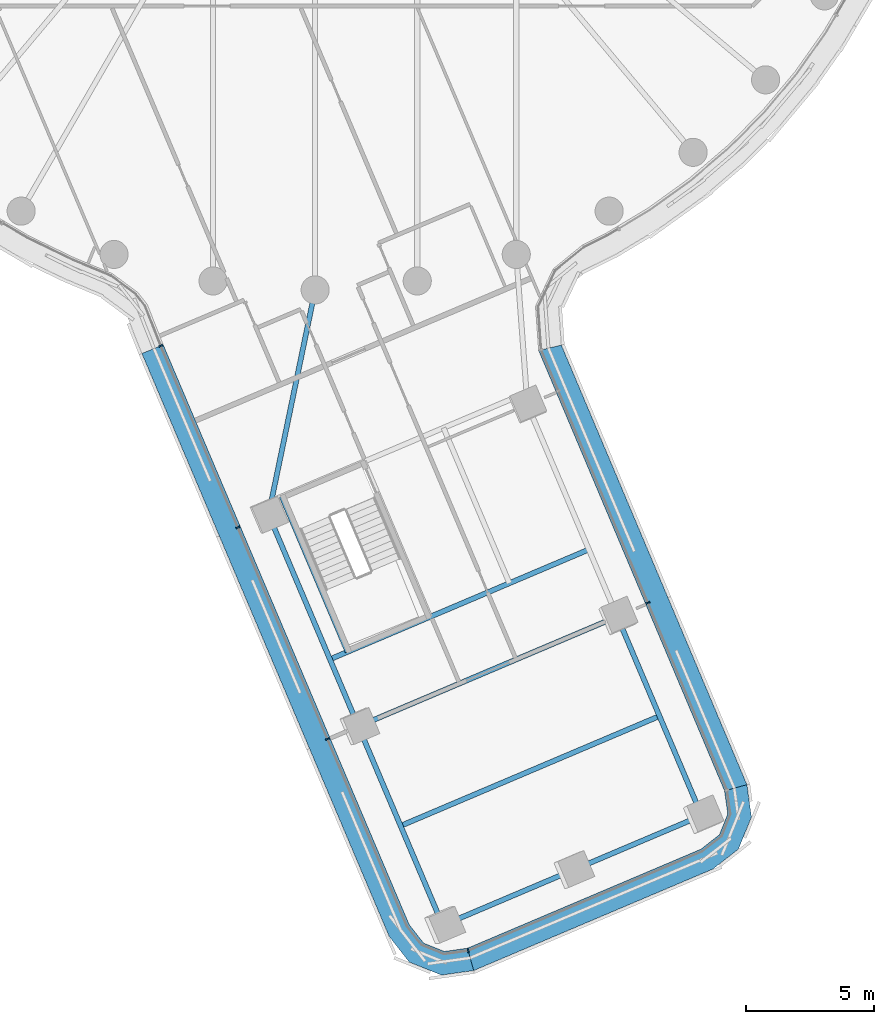
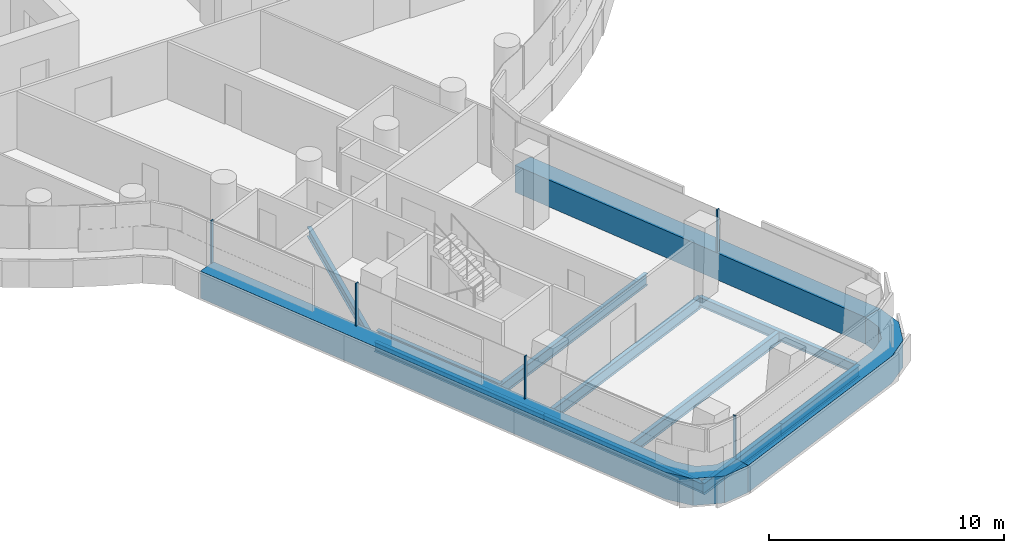
# One storey, part 2 of 35: 10 beams, 8 members, 3 elements without a shape of their own.
"""IFC4 building model written with IfcOpenShell, lengths in metres."""

from ifc_helpers import new_model, si_unit, direction, frame, origin, origin_2d, place, context, subcontext, project, spatial, polyline, rectangle, i_section, outline, extrude, material, layer, layer_set, material_profile, profile_set, type_object, element, aggregate, save


model = new_model("IFC4")

# Units and contexts
model_context = context("Model", 3, precision=1e-05, world=origin(), true_north=direction((0.0, 1.0)))
body_context = subcontext(model_context, "Body", "Model", "MODEL_VIEW")
ifc_project = project(units=[si_unit("LENGTHUNIT", "METRE"), si_unit("AREAUNIT", "SQUARE_METRE"), si_unit("VOLUMEUNIT", "CUBIC_METRE"), si_unit("PLANEANGLEUNIT", "RADIAN"), si_unit("MASSUNIT", "GRAM", prefix="KILO")], contexts=[model_context])

# Site, building, storey
site_placement = place(None, origin())
site = spatial("IfcSite", under=ifc_project, at=site_placement, CompositionType="ELEMENT")
building_placement = place(site_placement, origin())
building = spatial("IfcBuilding", under=site, at=building_placement, Name="Tamarind Cross Interchange Tower", CompositionType="ELEMENT")
storey_placement = place(building_placement, frame((0.0, 0.0, 117.25)))
storey = spatial("IfcBuildingStorey", under=building, at=storey_placement, Name="L28", CompositionType="ELEMENT", Elevation=117.25)

# Beams
ifc_material_1 = material(Name="Steel Q355B", Category="steel")
ifc_material_profile_1 = material_profile(ifc_material_1, i_section(OverallWidth=0.198974609375, OverallDepth=0.49609375, WebThickness=0.009033203125, FlangeThickness=0.013916015625, FilletRadius=0.012939453125, at=origin_2d()), Name="HN 496x199x9x14")
ifc_profile_set_1 = profile_set([ifc_material_profile_1], Name="Steel Q355B")
beam_type_1 = type_object("IfcBeamType", Name="Composite beam HN 496x199x9x14 Q355B", PredefinedType="BEAM", material=ifc_profile_set_1)
beam_1_placement = place(storey_placement, frame((4.99365234375, -47.856689453125, -0.387939453125), z_axis=(-0.390511280317, 0.920598142484, 0.0), x_axis=(-0.920598142484, -0.390511280317, 0.0)))
element("IfcBeam", 1, at=beam_1_placement, inside=storey, type_object=beam_type_1, Name="Beam S-edgeem5", PredefinedType="BEAM", context=body_context, shape_type="SweptSolid", body=[
    extrude(i_section(OverallWidth=0.198974609375, OverallDepth=0.49609375, WebThickness=0.009033203125, FlangeThickness=0.013916015625, FilletRadius=0.012939453125, at=origin_2d()), origin(), (0.0, 0.0, 1.0), 8.45361328125),
])
beam_2_placement = place(storey_placement, frame((1.6923828125, -40.07421875, -0.387939453125), z_axis=(-0.390515014713, 0.920596558371, 0.0), x_axis=(-0.920596558371, -0.390515014713, 0.0)))
element("IfcBeam", 2, at=beam_2_placement, inside=storey, type_object=beam_type_1, Name="Beam S-edgeem6", PredefinedType="BEAM", context=body_context, shape_type="SweptSolid", body=[
    extrude(i_section(OverallWidth=0.198974609375, OverallDepth=0.49609375, WebThickness=0.009033203125, FlangeThickness=0.013916015625, FilletRadius=0.012939453125, at=origin_2d()), origin(), (0.0, 0.0, 1.0), 9.0),
])
beam_3_placement = place(storey_placement, frame((15.1201171875, -43.561279296875, -0.387939453125), z_axis=(-0.390500898202, 0.920602546435, 0.0), x_axis=(-0.920602546435, -0.390500898202, 0.0)))
element("IfcBeam", 3, at=beam_3_placement, inside=storey, type_object=beam_type_1, Name="Beam S-edgeep2", PredefinedType="BEAM", context=body_context, shape_type="SweptSolid", body=[
    extrude(i_section(OverallWidth=0.198974609375, OverallDepth=0.49609375, WebThickness=0.009033203125, FlangeThickness=0.013916015625, FilletRadius=0.012939453125, at=origin_2d()), origin(), (0.0, 0.0, 1.0), 8.453857421875),
])
beam_4_placement = place(storey_placement, frame((-1.822265625, -31.788818359375, -0.387939453125), z_axis=(0.203021123058, 0.979174358116, 0.0), x_axis=(-0.979174358116, 0.203021123058, 0.0)))
element("IfcBeam", 4, at=beam_4_placement, inside=storey, type_object=beam_type_1, Name="Beam S-linkem", PredefinedType="BEAM", context=body_context, shape_type="SweptSolid", body=[
    extrude(i_section(OverallWidth=0.198974609375, OverallDepth=0.49609375, WebThickness=0.009033203125, FlangeThickness=0.013916015625, FilletRadius=0.012939453125, at=origin_2d()), origin(), (0.0, 0.0, 1.0), 8.975830078125),
])
beam_5_placement = place(storey_placement, frame((-1.307373046875, -31.08154296875, -0.387939453125), z_axis=(0.390483347316, -0.920609990967, 0.0), x_axis=(0.920609990967, 0.390483347316, 0.0)))
element("IfcBeam", 5, at=beam_5_placement, inside=storey, type_object=beam_type_1, Name="Beam S-tr0", PredefinedType="BEAM", context=body_context, shape_type="SweptSolid", body=[
    extrude(i_section(OverallWidth=0.198974609375, OverallDepth=0.49609375, WebThickness=0.009033203125, FlangeThickness=0.013916015625, FilletRadius=0.012939453125, at=origin_2d()), origin(), (0.0, 0.0, 1.0), 6.599853515625),
])
ifc_material_profile_2 = material_profile(ifc_material_1, i_section(OverallWidth=0.199951171875, OverallDepth=0.60009765625, WebThickness=0.010986328125, FlangeThickness=0.01708984375, FilletRadius=0.012939453125, at=origin_2d()), Name="HN 600x200x11x17")
ifc_profile_set_2 = profile_set([ifc_material_profile_2], Name="Steel Q355B")
beam_type_2 = type_object("IfcBeamType", Name="Composite beam HN 600x200x11x17 Q355B", PredefinedType="BEAM", material=ifc_profile_set_2)
for number, where, z_axis, x_axis, name in (
    (6, (4.99365234375, -47.856689453125, -0.43994140625), (0.920603543621, 0.390498547338, 0.0), (-0.390498547338, 0.920603543621, 0.0), "Beam S-tip0"),
    (7, (10.056884765625, -45.708984375, -0.43994140625), (0.920603543621, 0.390498547338, 0.0), (-0.390498547338, 0.920603543621, 0.0), "Beam S-tip1"),
):
    element("IfcBeam", number, at=place(storey_placement, frame(where, z_axis=z_axis, x_axis=x_axis)), inside=storey, type_object=beam_type_2, Name=name, PredefinedType="BEAM", context=body_context, shape_type="SweptSolid", body=[
        extrude(i_section(OverallWidth=0.199951171875, OverallDepth=0.60009765625, WebThickness=0.010986328125, FlangeThickness=0.01708984375, FilletRadius=0.012939453125, at=origin_2d()), origin(), (0.0, 0.0, 1.0), 5.5),
    ])
for number, where, z_axis, x_axis, name in (
    (8, (0.579345703125, -37.450439453125, -0.43994140625), (0.920606928011, 0.390490568515, 0.0), (-0.390490568515, 0.920606928011, 0.0), "Beam S-x364"),
    (9, (1.6923828125, -40.07421875, -0.43994140625), (0.920595564527, 0.390517357583, 0.0), (-0.390517357583, 0.920595564527, 0.0), "Beam S-x393"),
    (10, (3.343017578125, -43.965576171875, -0.43994140625), (0.920595564527, 0.390517357583, 0.0), (-0.390517357583, 0.920595564527, 0.0), "Beam S-x435"),
):
    element("IfcBeam", number, at=place(storey_placement, frame(where, z_axis=z_axis, x_axis=x_axis)), inside=storey, type_object=beam_type_2, Name=name, PredefinedType="BEAM", context=body_context, shape_type="SweptSolid", body=[
        extrude(i_section(OverallWidth=0.199951171875, OverallDepth=0.60009765625, WebThickness=0.010986328125, FlangeThickness=0.01708984375, FilletRadius=0.012939453125, at=origin_2d()), origin(), (0.0, 0.0, 1.0), 11.0),
    ])

# Curtain wall, member
ifc_material_2 = material(Name="Aluminium 6063-T6", Category="aluminium")
ifc_layer = layer(ifc_material_2, 0.159912109375)
ifc_layer_set = layer_set([ifc_layer], Name="Aluminium 6063-T6")
curtain_wall_type = type_object("IfcCurtainWallType", Name="Office curtain wall, 9.0 m bays", PredefinedType="NOTDEFINED", material=ifc_layer_set)
curtain_wall_1_placement = place(storey_placement, origin())
curtain_wall_1 = element("IfcCurtainWall", 11, at=curtain_wall_1_placement, inside=storey, type_object=curtain_wall_type, Name="CWS-L28-03", PredefinedType="NOTDEFINED")
ifc_material_3 = material(Name="Aluminium and insulated spandrel panel", Category="aluminium")
member_type_1 = type_object("IfcMemberType", Name="Floor-edge blade transom", PredefinedType="USERDEFINED", material=ifc_material_3)
member_1_placement = place(storey_placement, origin())
member_1 = element("IfcMember", 12, at=member_1_placement, type_object=member_type_1, Name="CWT-L28-03", ObjectType="TRANSOM", PredefinedType="USERDEFINED", context=body_context, shape_type="SweptSolid", body=[
    extrude(outline(polyline([(-5.943603515625, -25.145751953125), (3.67822265625, -47.82861328125), (4.241455078125, -48.55029296875), (5.05224609375, -48.8779296875), (5.958740234375, -48.750732421875), (6.201171875, -49.625732421875), (4.9384765625, -49.802734375), (3.6806640625, -49.294189453125), (2.895751953125, -48.289306640625), (-6.776611328125, -25.486572265625), (-5.943603515625, -25.145751953125)])), origin(), (0.0, 0.0, 1.0), 1.39990234375),
])

curtain_wall_2_placement = place(storey_placement, origin())
curtain_wall_2 = element("IfcCurtainWall", 13, at=curtain_wall_2_placement, inside=storey, type_object=curtain_wall_type, Name="CWS-L28-04", PredefinedType="NOTDEFINED")
member_2_placement = place(storey_placement, origin())
member_2 = element("IfcMember", 14, at=member_2_placement, type_object=member_type_1, Name="CWT-L28-04", ObjectType="TRANSOM", PredefinedType="USERDEFINED", context=body_context, shape_type="SweptSolid", body=[
    extrude(outline(polyline([(5.958740234375, -48.750732421875), (15.092041015625, -44.876708984375), (15.8134765625, -44.313232421875), (16.141357421875, -43.50244140625), (16.01416015625, -42.595703125), (16.88916015625, -42.354248046875), (17.066162109375, -43.6162109375), (16.5576171875, -44.874267578125), (15.552734375, -45.658935546875), (6.201171875, -49.625732421875), (5.958740234375, -48.750732421875)])), origin(), (0.0, 0.0, 1.0), 1.39990234375),
])

curtain_wall_3_placement = place(storey_placement, origin())
curtain_wall_3 = element("IfcCurtainWall", 15, at=curtain_wall_3_placement, inside=storey, type_object=curtain_wall_type, Name="CWS-L28-05", PredefinedType="NOTDEFINED")
member_3_placement = place(storey_placement, origin())
member_3 = element("IfcMember", 16, at=member_3_placement, type_object=member_type_1, Name="CWT-L28-05", ObjectType="TRANSOM", PredefinedType="USERDEFINED", context=body_context, shape_type="SweptSolid", body=[
    extrude(outline(polyline([(16.01416015625, -42.595703125), (8.741943359375, -25.37060546875), (9.629150390625, -25.15771484375), (16.88916015625, -42.354248046875), (16.01416015625, -42.595703125)])), origin(), (0.0, 0.0, 1.0), 1.39990234375),
])

# Member
ifc_material_profile_3 = material_profile(ifc_material_2, rectangle(XDim=0.06005859375, YDim=0.159912109375, at=origin_2d()), Name="Mullion CW1")
ifc_profile_set_3 = profile_set([ifc_material_profile_3], Name="Aluminium 6063-T6")
member_type_2 = type_object("IfcMemberType", Name="Mullion CW1", PredefinedType="MULLION", material=ifc_profile_set_3)
member_4_placement = place(storey_placement, frame((-6.0361328125, -25.18359375, 1.39990234375), z_axis=(0.0, 0.0, 1.0), x_axis=(0.37873072236, -0.925506909721, 0.0)))
member_4 = element("IfcMember", 17, at=member_4_placement, type_object=member_type_2, Name="CWM-L28-03-00", PredefinedType="MULLION", context=body_context, shape_type="SweptSolid", body=[
    extrude(rectangle(XDim=0.06005859375, YDim=0.159912109375, at=origin_2d()), origin(), (0.0, 0.0, 1.0), 2.210205078125),
])

member_5_placement = place(storey_placement, frame((-3.021484375, -32.290283203125, 1.39990234375), z_axis=(0.0, 0.0, 1.0), x_axis=(0.390499768049, -0.920603025823, 0.0)))
member_5 = element("IfcMember", 18, at=member_5_placement, type_object=member_type_2, Name="CWM-L28-03-01", PredefinedType="MULLION", context=body_context, shape_type="SweptSolid", body=[
    extrude(rectangle(XDim=0.06005859375, YDim=0.159912109375, at=origin_2d()), origin(), (0.0, 0.0, 1.0), 2.210205078125),
])

member_6_placement = place(storey_placement, frame((0.48876953125, -40.566162109375, 1.39990234375), z_axis=(0.0, 0.0, 1.0), x_axis=(0.390499768049, -0.920603025823, 0.0)))
member_6 = element("IfcMember", 19, at=member_6_placement, type_object=member_type_2, Name="CWM-L28-03-02", PredefinedType="MULLION", context=body_context, shape_type="SweptSolid", body=[
    extrude(rectangle(XDim=0.06005859375, YDim=0.159912109375, at=origin_2d()), origin(), (0.0, 0.0, 1.0), 2.210205078125),
])

aggregate(curtain_wall_1, [member_4, member_5, member_6, member_1])

member_7_placement = place(storey_placement, frame((5.98583984375, -48.847900390625, 1.39990234375), z_axis=(0.0, 0.0, 1.0), x_axis=(0.963697587103, 0.266996180892, 0.0)))
member_7 = element("IfcMember", 20, at=member_7_placement, type_object=member_type_2, Name="CWM-L28-04-00", PredefinedType="MULLION", context=body_context, shape_type="SweptSolid", body=[
    extrude(rectangle(XDim=0.06005859375, YDim=0.159912109375, at=origin_2d()), origin(), (0.0, 0.0, 1.0), 2.210205078125),
])

aggregate(curtain_wall_2, [member_7, member_2])

member_8_placement = place(storey_placement, frame((13.0166015625, -35.238525390625, 1.39990234375), z_axis=(0.0, 0.0, 1.0), x_axis=(-0.388938701154, 0.921263635853, 0.0)))
member_8 = element("IfcMember", 21, at=member_8_placement, type_object=member_type_2, Name="CWM-L28-05-01", PredefinedType="MULLION", context=body_context, shape_type="SweptSolid", body=[
    extrude(rectangle(XDim=0.06005859375, YDim=0.159912109375, at=origin_2d()), origin(), (0.0, 0.0, 1.0), 2.210205078125),
])

aggregate(curtain_wall_3, [member_8, member_3])

save(model, "model.ifc")
